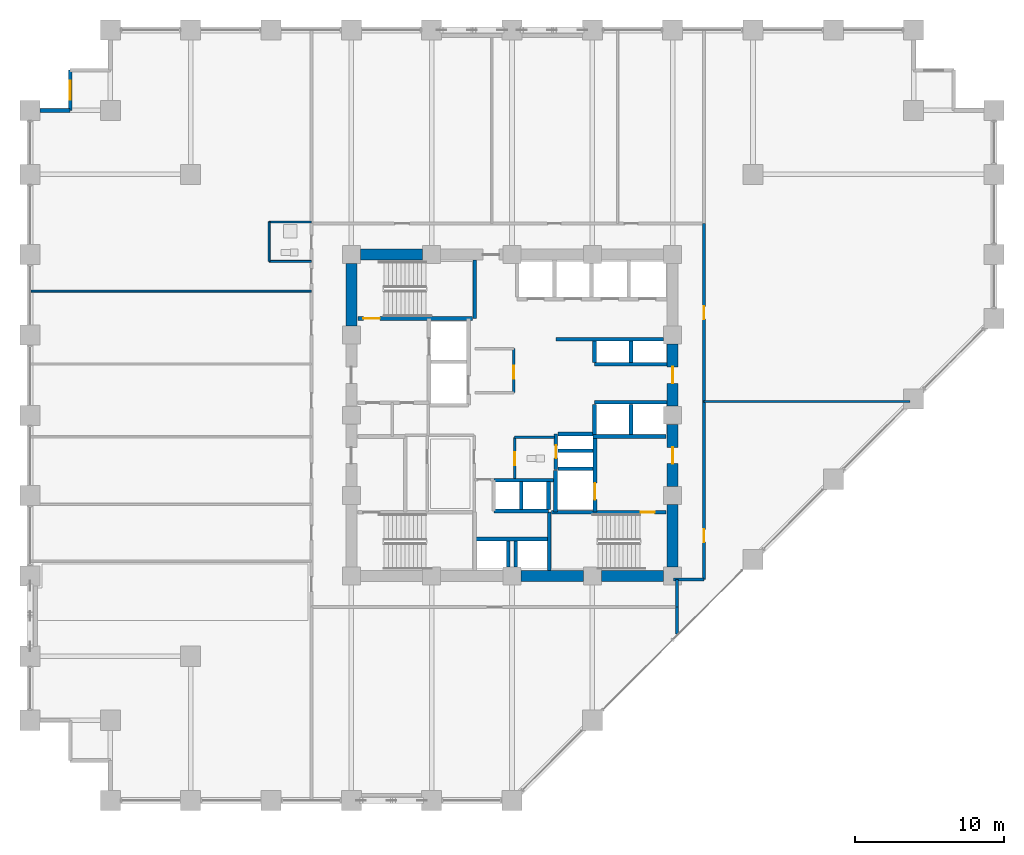
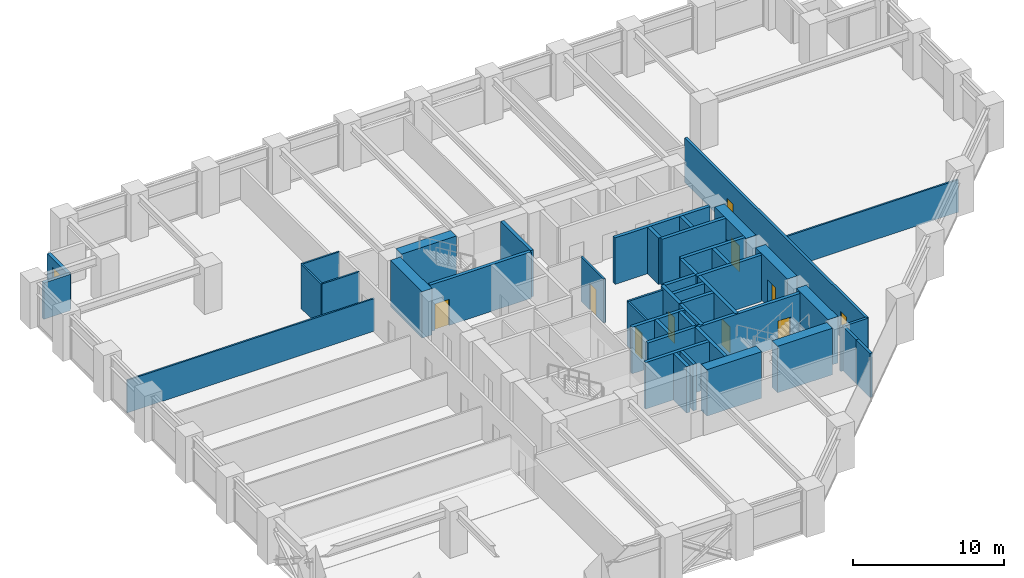
# One storey, part 21 of 25: 46 walls, 10 doors, 1 window, 11 openings.
"""IFC4 building model written with IfcOpenShell, lengths in metres."""

from ifc_helpers import new_model, si_unit, direction, frame, frame_2d, origin, place, context, subcontext, project, spatial, rectangle, extrude, material, layer, layer_set, type_object, element, fill, save


model = new_model("IFC4")

# Units and contexts
model_context = context("Model", 3, precision=1e-05, world=origin(), true_north=direction((0.0, 1.0)))
body_context = subcontext(model_context, "Body", "Model", "MODEL_VIEW")
ifc_project = project(units=[si_unit("LENGTHUNIT", "METRE"), si_unit("AREAUNIT", "SQUARE_METRE"), si_unit("VOLUMEUNIT", "CUBIC_METRE"), si_unit("PLANEANGLEUNIT", "RADIAN"), si_unit("MASSUNIT", "GRAM", prefix="KILO")], contexts=[model_context])

# Site, building, storey
site_placement = place(None, origin())
site = spatial("IfcSite", under=ifc_project, at=site_placement, CompositionType="ELEMENT")
building_placement = place(site_placement, origin())
building = spatial("IfcBuilding", under=site, at=building_placement, Name="Surkhivell Harbour Commons", CompositionType="ELEMENT")
storey_placement = place(building_placement, frame((0.0, 0.0, 41.25)))
storey = spatial("IfcBuildingStorey", under=building, at=storey_placement, Name="L10", CompositionType="ELEMENT", Elevation=41.25)

# Walls
ifc_material_1 = material(Name="Concrete C60/75", Category="concrete")
ifc_layer_1 = layer(ifc_material_1, 0.75)
ifc_layer_set_1 = layer_set([ifc_layer_1], Name="Concrete C60/75")
wall_type_1 = type_object("IfcWallType", Name="WAL-CORE-750", PredefinedType="SHEAR", material=ifc_layer_set_1)
for number, where, z_axis, x_axis, name in (
    (1, (-10.18994140625, 10.800048828125, 0.0), (0.0, 0.0, 1.0), (1.0, 0.0, 0.0), "L10 Core Shear Wall North 1"),
    (2, (10.800048828125, -10.18994140625, 0.0), (0.0, 0.0, 1.0), (0.0, 1.0, 0.0), "L10 Core Shear Wall East 1"),
):
    element("IfcWall", number, at=place(storey_placement, frame(where, z_axis=z_axis, x_axis=x_axis)), inside=storey, type_object=wall_type_1, Name=name, PredefinedType="SHEAR", context=body_context, shape_type="SweptSolid", body=[
        extrude(rectangle(XDim=4.179931640625, YDim=0.75, at=frame_2d((2.08984375, 0.0))), origin(), (0.0, 0.0, 1.0), 3.75),
    ])

# Wall, opening, door
wall_1_placement = place(storey_placement, frame((10.800048828125, -4.7900390625, 0.0), z_axis=(0.0, 0.0, 1.0), x_axis=(0.0, 1.0, 0.0)))
wall_1 = element("IfcWall", 3, at=wall_1_placement, inside=storey, type_object=wall_type_1, Name="L10 Core Shear Wall East 2", PredefinedType="SHEAR", context=body_context, shape_type="SweptSolid", body=[
    extrude(rectangle(XDim=4.179931640625, YDim=0.75, at=frame_2d((2.08984375, 0.0))), origin(), (0.0, 0.0, 1.0), 3.75),
])
opening_1_placement = place(wall_1_placement, frame((1.5400390625, 0.0, 0.0)))
opening_1 = element("IfcOpeningElement", 4, at=opening_1_placement, cuts=wall_1, Name="Opening ID-1", PredefinedType="OPENING", context=body_context, shape_type="SweptSolid", body=[
    extrude(rectangle(XDim=1.10009765625, YDim=2.10009765625, at=frame_2d((0.550048828125, 1.050048828125))), frame((0.0, 0.385009765625, 0.0), z_axis=(0.0, -1.0, 0.0), x_axis=(1.0, 0.0, 0.0)), (0.0, 0.0, 1.0), 0.77001953125),
])
ifc_material_2 = material(Name="Hardwood-veneered fire-rated door leaf", Category="wood")
door_type_1 = type_object("IfcDoorType", Name="DOR-FD120-1100", OperationType="NOTDEFINED", PredefinedType="DOOR", material=ifc_material_2)
door_1_placement = place(opening_1_placement, origin())
door_1 = element("IfcDoor", 5, at=door_1_placement, inside=storey, type_object=door_type_1, Name="L10 Firefighting Lobby 2 Corridor Door", OperationType="SINGLE_SWING_RIGHT", OverallHeight=2.10009765625, OverallWidth=1.10009765625, PredefinedType="DOOR", context=body_context, shape_type="SweptSolid", body=[
    extrude(rectangle(XDim=1.10009765625, YDim=2.10009765625, at=frame_2d((0.550048828125, 1.050048828125))), frame((0.0, 0.02490234375, 0.0), z_axis=(0.0, -1.0, 0.0), x_axis=(1.0, 0.0, 0.0)), (0.0, 0.0, 1.0), 0.050048828125),
])
fill(opening_1, door_1)

# Wall
wall_2_placement = place(storey_placement, frame((0.610107421875, -10.800048828125, 0.0), z_axis=(0.0, 0.0, 1.0), x_axis=(1.0, 0.0, 0.0)))
element("IfcWall", 6, at=wall_2_placement, inside=storey, type_object=wall_type_1, Name="L10 Core Shear Wall South 3", PredefinedType="SHEAR", context=body_context, shape_type="SweptSolid", body=[
    extrude(rectangle(XDim=4.179931640625, YDim=0.75, at=frame_2d((2.08984375, 0.0))), origin(), (0.0, 0.0, 1.0), 3.75),
])

# Wall, opening, door
wall_3_placement = place(storey_placement, frame((10.800048828125, 0.610107421875, 0.0), z_axis=(0.0, 0.0, 1.0), x_axis=(0.0, 1.0, 0.0)))
wall_3 = element("IfcWall", 7, at=wall_3_placement, inside=storey, type_object=wall_type_1, Name="L10 Core Shear Wall East 3", PredefinedType="SHEAR", context=body_context, shape_type="SweptSolid", body=[
    extrude(rectangle(XDim=4.179931640625, YDim=0.75, at=frame_2d((2.08984375, 0.0))), origin(), (0.0, 0.0, 1.0), 3.75),
])
opening_2_placement = place(wall_3_placement, frame((1.5400390625, 0.0, 0.0)))
opening_2 = element("IfcOpeningElement", 8, at=opening_2_placement, cuts=wall_3, Name="Opening ID-2", PredefinedType="OPENING", context=body_context, shape_type="SweptSolid", body=[
    extrude(rectangle(XDim=1.10009765625, YDim=2.10009765625, at=frame_2d((0.550048828125, 1.050048828125))), frame((0.0, 0.385009765625, 0.0), z_axis=(0.0, -1.0, 0.0), x_axis=(1.0, 0.0, 0.0)), (0.0, 0.0, 1.0), 0.77001953125),
])
door_type_2 = type_object("IfcDoorType", Name="DOR-FD60-1100", OperationType="NOTDEFINED", PredefinedType="DOOR", material=ifc_material_2)
door_2_placement = place(opening_2_placement, origin())
door_2 = element("IfcDoor", 9, at=door_2_placement, inside=storey, type_object=door_type_2, Name="L10 Mid-Rise Lobby East Door", OperationType="SINGLE_SWING_LEFT", OverallHeight=2.10009765625, OverallWidth=1.10009765625, PredefinedType="DOOR", context=body_context, shape_type="SweptSolid", body=[
    extrude(rectangle(XDim=1.10009765625, YDim=2.10009765625, at=frame_2d((0.550048828125, 1.050048828125))), frame((0.0, 0.02490234375, 0.0), z_axis=(0.0, -1.0, 0.0), x_axis=(1.0, 0.0, 0.0)), (0.0, 0.0, 1.0), 0.050048828125),
])
fill(opening_2, door_2)

# Walls
for number, where, z_axis, x_axis, name in (
    (10, (6.010009765625, -10.800048828125, 0.0), (0.0, 0.0, 1.0), (1.0, 0.0, 0.0), "L10 Core Shear Wall South 4"),
    (11, (-10.800048828125, 6.010009765625, 0.0), (0.0, 0.0, 1.0), (0.0, 1.0, 0.0), "L10 Core Shear Wall West 4"),
):
    element("IfcWall", number, at=place(storey_placement, frame(where, z_axis=z_axis, x_axis=x_axis)), inside=storey, type_object=wall_type_1, Name=name, PredefinedType="SHEAR", context=body_context, shape_type="SweptSolid", body=[
        extrude(rectangle(XDim=4.179931640625, YDim=0.75, at=frame_2d((2.08984375, 0.0))), origin(), (0.0, 0.0, 1.0), 3.75),
    ])

# Wall, opening, window
ifc_material_3 = material(Name="Pale-metal insulated precast concrete C45/55", Category="concrete")
ifc_layer_2 = layer(ifc_material_3, 0.260009765625)
ifc_layer_set_2 = layer_set([ifc_layer_2], Name="Pale-metal insulated precast concrete C45/55")
wall_type_2 = type_object("IfcWallType", Name="WAL-EXT-MTL260", PredefinedType="STANDARD", material=ifc_layer_set_2)
wall_4_placement = place(storey_placement, frame((-29.699951171875, 23.199951171875, 0.0), z_axis=(0.0, 0.0, 1.0), x_axis=(0.0, -1.0, 0.0)))
wall_4 = element("IfcWall", 12, at=wall_4_placement, inside=storey, type_object=wall_type_2, Name="L10 Serrated Corner Facade Wall 10", PredefinedType="STANDARD", context=body_context, shape_type="SweptSolid", body=[
    extrude(rectangle(XDim=2.699951171875, YDim=0.260009765625, at=frame_2d((1.35009765625, 0.0))), origin(), (0.0, 0.0, 1.0), 2.929931640625),
])
opening_3_placement = place(wall_4_placement, frame((0.72509765625, 0.0, 0.64990234375)))
opening_3 = element("IfcOpeningElement", 13, at=opening_3_placement, cuts=wall_4, Name="Opening WN-09", PredefinedType="OPENING", context=body_context, shape_type="SweptSolid", body=[
    extrude(rectangle(XDim=1.25, YDim=1.60009765625, at=frame_2d((0.625, 0.800048828125))), frame((0.0, 0.139892578125, 0.0), z_axis=(0.0, -1.0, 0.0), x_axis=(1.0, 0.0, 0.0)), (0.0, 0.0, 1.0), 0.280029296875),
])
ifc_material_4 = material(Name="Thermal-break aluminium frame and double low-E glazing", Category="aluminium")
window_type = type_object("IfcWindowType", Name="WIN-SER-1250x1600", PartitioningType="SINGLE_PANEL", PredefinedType="WINDOW", material=ifc_material_4)
window_placement = place(opening_3_placement, origin())
window = element("IfcWindow", 14, at=window_placement, inside=storey, type_object=window_type, Name="L10 Serrated Alcove Window 10", OverallHeight=1.60009765625, OverallWidth=1.25, PartitioningType="SINGLE_PANEL", PredefinedType="WINDOW", context=body_context, shape_type="SweptSolid", body=[
    extrude(rectangle(XDim=1.25, YDim=1.60009765625, at=frame_2d((0.625, 0.800048828125))), frame((0.0, 0.030029296875, 0.0), z_axis=(0.0, -1.0, 0.0), x_axis=(1.0, 0.0, 0.0)), (0.0, 0.0, 1.0), 0.06005859375),
])
fill(opening_3, window)

# Walls
wall_5_placement = place(storey_placement, frame((-29.699951171875, 20.5, 0.0), z_axis=(0.0, 0.0, 1.0), x_axis=(-1.0, 0.0, 0.0)))
element("IfcWall", 15, at=wall_5_placement, inside=storey, type_object=wall_type_2, Name="L10 Serrated Corner Facade Wall 11", PredefinedType="STANDARD", context=body_context, shape_type="SweptSolid", body=[
    extrude(rectangle(XDim=2.027099609375, YDim=0.260009765625, at=frame_2d((1.013671875, 0.0))), origin(), (0.0, 0.0, 1.0), 2.929931640625),
])
ifc_material_5 = material(Name="Moisture-resistant acoustic stud partition", Category="other")
ifc_layer_3 = layer(ifc_material_5, 0.125)
ifc_layer_set_3 = layer_set([ifc_layer_3], Name="Moisture-resistant acoustic stud partition")
wall_type_3 = type_object("IfcWallType", Name="WAL-INT-125", PredefinedType="PARTITIONING", material=ifc_layer_set_3)
wall_6_placement = place(storey_placement, frame((12.89990234375, 0.929931640625, 0.0), z_axis=(0.0, 0.0, 1.0), x_axis=(1.0, 0.0, 0.0)))
element("IfcWall", 16, at=wall_6_placement, inside=storey, type_object=wall_type_3, Name="L10 East Partition P1", PredefinedType="PARTITIONING", context=body_context, shape_type="SweptSolid", body=[
    extrude(rectangle(XDim=13.84521484375, YDim=0.125, at=frame_2d((6.922607421875, 0.0))), origin(), (0.0, 0.0, 1.0), 2.62890625),
])
wall_7_placement = place(storey_placement, frame((-16.330078125, 10.35009765625, 0.0), z_axis=(0.0, 0.0, 1.0), x_axis=(0.0, 1.0, 0.0)))
element("IfcWall", 17, at=wall_7_placement, inside=storey, type_object=wall_type_3, Name="L10 West Partition BTHB", PredefinedType="PARTITIONING", context=body_context, shape_type="SweptSolid", body=[
    extrude(rectangle(XDim=2.64990234375, YDim=0.125, at=frame_2d((1.324951171875, 0.0))), origin(), (0.0, 0.0, 1.0), 3.570068359375),
])
for number, where, z_axis, x_axis, name in (
    (18, (-16.330078125, 13.0, 0.0), (0.0, 0.0, 1.0), (1.0, 0.0, 0.0), "L10 West Partition BTHN"),
    (19, (-16.330078125, 10.35009765625, 0.0), (0.0, 0.0, 1.0), (1.0, 0.0, 0.0), "L10 West Partition BTHS"),
):
    element("IfcWall", number, at=place(storey_placement, frame(where, z_axis=z_axis, x_axis=x_axis)), inside=storey, type_object=wall_type_3, Name=name, PredefinedType="PARTITIONING", context=body_context, shape_type="SweptSolid", body=[
        extrude(rectangle(XDim=2.85009765625, YDim=0.125, at=frame_2d((1.425048828125, 0.0))), origin(), (0.0, 0.0, 1.0), 3.570068359375),
    ])
wall_8_placement = place(storey_placement, frame((-32.340087890625, 8.35009765625, 0.0), z_axis=(0.0, 0.0, 1.0), x_axis=(1.0, 0.0, 0.0)))
element("IfcWall", 20, at=wall_8_placement, inside=storey, type_object=wall_type_3, Name="L10 West Partition PTOP", PredefinedType="PARTITIONING", context=body_context, shape_type="SweptSolid", body=[
    extrude(rectangle(XDim=18.860107421875, YDim=0.125, at=frame_2d((9.43017578125, 0.0))), origin(), (0.0, 0.0, 1.0), 2.62890625),
])
ifc_material_6 = material(Name="Twin-stud acoustic fireboard partition", Category="other")
ifc_layer_4 = layer(ifc_material_6, 0.14990234375)
ifc_layer_set_4 = layer_set([ifc_layer_4], Name="Twin-stud acoustic fireboard partition")
wall_type_4 = type_object("IfcWallType", Name="WAL-INT-150", PredefinedType="PARTITIONING", material=ifc_layer_set_4)
wall_9_placement = place(storey_placement, frame((0.179931640625, -1.47998046875, 0.0), z_axis=(0.0, 0.0, 1.0), x_axis=(1.0, 0.0, 0.0)))
element("IfcWall", 21, at=wall_9_placement, inside=storey, type_object=wall_type_4, Name="L10 Core Accessible WC North Wall", PredefinedType="PARTITIONING", context=body_context, shape_type="SweptSolid", body=[
    extrude(rectangle(XDim=2.670166015625, YDim=0.14990234375, at=frame_2d((1.3349609375, 0.0))), origin(), (0.0, 0.0, 1.0), 3.570068359375),
])

# Wall, opening, door
wall_10_placement = place(storey_placement, frame((0.179931640625, -4.25, 0.0), z_axis=(0.0, 0.0, 1.0), x_axis=(0.0, 1.0, 0.0)))
wall_10 = element("IfcWall", 22, at=wall_10_placement, inside=storey, type_object=wall_type_4, Name="L10 Core Accessible WC West Wall", PredefinedType="PARTITIONING", context=body_context, shape_type="SweptSolid", body=[
    extrude(rectangle(XDim=2.77001953125, YDim=0.14990234375, at=frame_2d((1.385009765625, 0.0))), origin(), (0.0, 0.0, 1.0), 3.570068359375),
])
opening_4_placement = place(wall_10_placement, frame((0.89990234375, 0.0, 0.0)))
opening_4 = element("IfcOpeningElement", 23, at=opening_4_placement, cuts=wall_10, Name="Opening ID-6", PredefinedType="OPENING", context=body_context, shape_type="SweptSolid", body=[
    extrude(rectangle(XDim=0.85009765625, YDim=2.10009765625, at=frame_2d((0.425048828125, 1.050048828125))), frame((0.0, 0.0849609375, 0.0), z_axis=(0.0, -1.0, 0.0), x_axis=(1.0, 0.0, 0.0)), (0.0, 0.0, 1.0), 0.169921875),
])
door_type_3 = type_object("IfcDoorType", Name="DOR-FD30-850", OperationType="NOTDEFINED", PredefinedType="DOOR", material=ifc_material_2)
door_3_placement = place(opening_4_placement, origin())
door_3 = element("IfcDoor", 24, at=door_3_placement, inside=storey, type_object=door_type_3, Name="L10 Floor Accessible WC Door", OperationType="SINGLE_SWING_LEFT", OverallHeight=2.10009765625, OverallWidth=0.85009765625, PredefinedType="DOOR", context=body_context, shape_type="SweptSolid", body=[
    extrude(rectangle(XDim=0.85009765625, YDim=2.10009765625, at=frame_2d((0.425048828125, 1.050048828125))), frame((0.0, 0.02490234375, 0.0), z_axis=(0.0, -1.0, 0.0), x_axis=(1.0, 0.0, 0.0)), (0.0, 0.0, 1.0), 0.050048828125),
])
fill(opening_4, door_3)

wall_11_placement = place(storey_placement, frame((0.1201171875, 1.52001953125, 0.0), z_axis=(0.0, 0.0, 1.0), x_axis=(0.0, 1.0, 0.0)))
wall_11 = element("IfcWall", 25, at=wall_11_placement, inside=storey, type_object=wall_type_4, Name="L10 Central Reading East Wall", PredefinedType="PARTITIONING", context=body_context, shape_type="SweptSolid", body=[
    extrude(rectangle(XDim=2.9599609375, YDim=0.14990234375, at=frame_2d((1.47998046875, 0.0))), origin(), (0.0, 0.0, 1.0), 3.570068359375),
])
opening_5_placement = place(wall_11_placement, frame((0.949951171875, 0.0, 0.0)))
opening_5 = element("IfcOpeningElement", 26, at=opening_5_placement, cuts=wall_11, Name="Opening ID-6", PredefinedType="OPENING", context=body_context, shape_type="SweptSolid", body=[
    extrude(rectangle(XDim=0.85009765625, YDim=2.10009765625, at=frame_2d((0.425048828125, 1.050048828125))), frame((0.0, 0.0849609375, 0.0), z_axis=(0.0, -1.0, 0.0), x_axis=(1.0, 0.0, 0.0)), (0.0, 0.0, 1.0), 0.169921875),
])
door_4_placement = place(opening_5_placement, origin())
door_4 = element("IfcDoor", 27, at=door_4_placement, inside=storey, type_object=door_type_3, Name="L10 Central Core Reading Door", OperationType="SINGLE_SWING_RIGHT", OverallHeight=2.10009765625, OverallWidth=0.85009765625, PredefinedType="DOOR", context=body_context, shape_type="SweptSolid", body=[
    extrude(rectangle(XDim=0.85009765625, YDim=2.10009765625, at=frame_2d((0.425048828125, 1.050048828125))), frame((0.0, 0.02490234375, 0.0), z_axis=(0.0, -1.0, 0.0), x_axis=(1.0, 0.0, 0.0)), (0.0, 0.0, 1.0), 0.050048828125),
])
fill(opening_5, door_4)

# Wall
ifc_material_7 = material(Name="Autoclaved aerated concrete blockwork and fire plaster", Category="masonry")
ifc_layer_5 = layer(ifc_material_7, 0.199951171875)
ifc_layer_set_5 = layer_set([ifc_layer_5], Name="Autoclaved aerated concrete blockwork and fire plaster")
wall_type_5 = type_object("IfcWallType", Name="WAL-INT-200", PredefinedType="PARTITIONING", material=ifc_layer_set_5)
wall_12_placement = place(storey_placement, frame((11.10009765625, -14.715087890625, 0.0), z_axis=(0.0, 0.0, 1.0), x_axis=(0.0, 1.0, 0.0)))
element("IfcWall", 28, at=wall_12_placement, inside=storey, type_object=wall_type_5, Name="L10 South-East Wing Corner Divider", PredefinedType="PARTITIONING", context=body_context, shape_type="SweptSolid", body=[
    extrude(rectangle(XDim=1.815185546875, YDim=0.199951171875, at=frame_2d((0.90771484375, 0.0))), origin(), (0.0, 0.0, 1.0), 3.570068359375),
])

# Wall, openings, doors
wall_13_placement = place(storey_placement, frame((12.89990234375, -11.0400390625, 0.0), z_axis=(0.0, 0.0, 1.0), x_axis=(0.0, 1.0, 0.0)))
wall_13 = element("IfcWall", 29, at=wall_13_placement, inside=storey, type_object=wall_type_5, Name="L10 Corridor East Wall", PredefinedType="PARTITIONING", context=body_context, shape_type="SweptSolid", body=[
    extrude(rectangle(XDim=23.93994140625, YDim=0.199951171875, at=frame_2d((11.969970703125, 0.0))), origin(), (0.0, 0.0, 1.0), 3.570068359375),
])
opening_6_placement = place(wall_13_placement, frame((2.513916015625, 0.0, 0.0)))
opening_6 = element("IfcOpeningElement", 30, at=opening_6_placement, cuts=wall_13, Name="Opening ID-6", PredefinedType="OPENING", context=body_context, shape_type="SweptSolid", body=[
    extrude(rectangle(XDim=0.85009765625, YDim=2.10009765625, at=frame_2d((0.425048828125, 1.050048828125))), frame((0.0, 0.10986328125, 0.0), z_axis=(0.0, -1.0, 0.0), x_axis=(1.0, 0.0, 0.0)), (0.0, 0.0, 1.0), 0.219970703125),
])
opening_7_placement = place(wall_13_placement, frame((17.5048828125, 0.0, 0.0)))
opening_7 = element("IfcOpeningElement", 31, at=opening_7_placement, cuts=wall_13, Name="Opening ID-6", PredefinedType="OPENING", context=body_context, shape_type="SweptSolid", body=[
    extrude(rectangle(XDim=0.85009765625, YDim=2.10009765625, at=frame_2d((0.425048828125, 1.050048828125))), frame((0.0, 0.10986328125, 0.0), z_axis=(0.0, -1.0, 0.0), x_axis=(1.0, 0.0, 0.0)), (0.0, 0.0, 1.0), 0.219970703125),
])
door_5_placement = place(opening_6_placement, origin())
door_5 = element("IfcDoor", 32, at=door_5_placement, inside=storey, type_object=door_type_3, Name="L10 Campus Co-Op Bookshop East Door", OperationType="SINGLE_SWING_LEFT", OverallHeight=2.10009765625, OverallWidth=0.85009765625, PredefinedType="DOOR", context=body_context, shape_type="SweptSolid", body=[
    extrude(rectangle(XDim=0.85009765625, YDim=2.10009765625, at=frame_2d((0.425048828125, 1.050048828125))), frame((0.0, 0.02490234375, 0.0), z_axis=(0.0, -1.0, 0.0), x_axis=(1.0, 0.0, 0.0)), (0.0, 0.0, 1.0), 0.050048828125),
])
fill(opening_6, door_5)
door_6_placement = place(opening_7_placement, origin())
door_6 = element("IfcDoor", 33, at=door_6_placement, inside=storey, type_object=door_type_3, Name="L10 Harbour Espresso Cafe Shop East Door", OperationType="SINGLE_SWING_RIGHT", OverallHeight=2.10009765625, OverallWidth=0.85009765625, PredefinedType="DOOR", context=body_context, shape_type="SweptSolid", body=[
    extrude(rectangle(XDim=0.85009765625, YDim=2.10009765625, at=frame_2d((0.425048828125, 1.050048828125))), frame((0.0, 0.02490234375, 0.0), z_axis=(0.0, -1.0, 0.0), x_axis=(1.0, 0.0, 0.0)), (0.0, 0.0, 1.0), 0.050048828125),
])
fill(opening_7, door_6)

# Walls
wall_14_placement = place(storey_placement, frame((10.85009765625, -11.0400390625, 0.0), z_axis=(0.0, 0.0, 1.0), x_axis=(1.0, 0.0, 0.0)))
element("IfcWall", 34, at=wall_14_placement, inside=storey, type_object=wall_type_5, Name="L10 Corridor East South Closure Wall", PredefinedType="PARTITIONING", context=body_context, shape_type="SweptSolid", body=[
    extrude(rectangle(XDim=2.0498046875, YDim=0.199951171875, at=frame_2d((1.02490234375, 0.0))), origin(), (0.0, 0.0, 1.0), 3.570068359375),
])
wall_15_placement = place(storey_placement, frame((11.10009765625, -12.89990234375, 0.0), z_axis=(0.0, 0.0, 1.0), x_axis=(0.0, 1.0, 0.0)))
element("IfcWall", 35, at=wall_15_placement, inside=storey, type_object=wall_type_5, Name="L10 Corridor SE Closure Wall", PredefinedType="PARTITIONING", context=body_context, shape_type="SweptSolid", body=[
    extrude(rectangle(XDim=1.85986328125, YDim=0.199951171875, at=frame_2d((0.929931640625, 0.0))), origin(), (0.0, 0.0, 1.0), 3.570068359375),
])
ifc_material_8 = material(Name="Concrete C50/60", Category="concrete")
ifc_layer_6 = layer(ifc_material_8, 0.25)
ifc_layer_set_6 = layer_set([ifc_layer_6], Name="Concrete C50/60")
wall_type_6 = type_object("IfcWallType", Name="WAL-SHAFT-250", PredefinedType="SHEAR", material=ifc_layer_set_6)
wall_16_placement = place(storey_placement, frame((2.929931640625, -6.510009765625, 0.0), z_axis=(0.0, 0.0, 1.0), x_axis=(0.0, 1.0, 0.0)))
element("IfcWall", 36, at=wall_16_placement, inside=storey, type_object=wall_type_6, Name="L10 FFL2 West Shaft Wall", PredefinedType="SHEAR", context=body_context, shape_type="SweptSolid", body=[
    extrude(rectangle(XDim=2.7900390625, YDim=0.25, at=frame_2d((1.39501953125, 0.0))), origin(), (0.0, 0.0, 1.0), 3.75),
])
wall_17_placement = place(storey_placement, frame((5.43994140625, -1.419921875, 0.0), z_axis=(0.0, 0.0, 1.0), x_axis=(1.0, 0.0, 0.0)))
element("IfcWall", 37, at=wall_17_placement, inside=storey, type_object=wall_type_6, Name="L10 Firefighting Lobby 2 North Wall", PredefinedType="SHEAR", context=body_context, shape_type="SweptSolid", body=[
    extrude(rectangle(XDim=4.900146484375, YDim=0.25, at=frame_2d((2.4501953125, 0.0))), origin(), (0.0, 0.0, 1.0), 3.75),
])
wall_18_placement = place(storey_placement, frame((3.080078125, -3.60009765625, 0.0), z_axis=(0.0, 0.0, 1.0), x_axis=(1.0, 0.0, 0.0)))
element("IfcWall", 38, at=wall_18_placement, inside=storey, type_object=wall_type_6, Name="L10 FFL2 North Shaft Wall", PredefinedType="SHEAR", context=body_context, shape_type="SweptSolid", body=[
    extrude(rectangle(XDim=2.369873046875, YDim=0.25, at=frame_2d((1.18505859375, 0.0))), origin(), (0.0, 0.0, 1.0), 3.75),
])

# Wall, opening, door
wall_19_placement = place(storey_placement, frame((5.580078125, -6.510009765625, 0.0), z_axis=(0.0, 0.0, 1.0), x_axis=(0.0, 1.0, 0.0)))
wall_19 = element("IfcWall", 39, at=wall_19_placement, inside=storey, type_object=wall_type_6, Name="L10 Firefighting Lobby 2 West Shaft Wall", PredefinedType="SHEAR", context=body_context, shape_type="SweptSolid", body=[
    extrude(rectangle(XDim=5.090087890625, YDim=0.25, at=frame_2d((2.544921875, 0.0))), origin(), (0.0, 0.0, 1.0), 3.75),
])
opening_8_placement = place(wall_19_placement, frame((0.85009765625, 0.0, 0.0)))
opening_8 = element("IfcOpeningElement", 40, at=opening_8_placement, cuts=wall_19, Name="Opening LD-1", PredefinedType="OPENING", context=body_context, shape_type="SweptSolid", body=[
    extrude(rectangle(XDim=1.10009765625, YDim=2.10009765625, at=frame_2d((0.550048828125, 1.050048828125))), frame((0.0, 0.135009765625, 0.0), z_axis=(0.0, -1.0, 0.0), x_axis=(1.0, 0.0, 0.0)), (0.0, 0.0, 1.0), 0.27001953125),
])
ifc_material_9 = material(Name="Brushed stainless steel S355", Category="steel")
door_type_4 = type_object("IfcDoorType", Name="DOR-LD-1100", OperationType="SLIDING_TO_LEFT", PredefinedType="DOOR", material=ifc_material_9)
door_7_placement = place(opening_8_placement, origin())
door_7 = element("IfcDoor", 41, at=door_7_placement, inside=storey, type_object=door_type_4, Name="L10 Lift Landing Door LD-FFL2", OperationType="SLIDING_TO_RIGHT", OverallHeight=2.10009765625, OverallWidth=1.10009765625, PredefinedType="DOOR", context=body_context, shape_type="SweptSolid", body=[
    extrude(rectangle(XDim=1.10009765625, YDim=2.10009765625, at=frame_2d((0.550048828125, 1.050048828125))), frame((0.0, 0.02490234375, 0.0), z_axis=(0.0, -1.0, 0.0), x_axis=(1.0, 0.0, 0.0)), (0.0, 0.0, 1.0), 0.050048828125),
])
fill(opening_8, door_7)

# Walls
for number, where, z_axis, x_axis, name in (
    (42, (0.6201171875, -6.340087890625, 0.0), (0.0, 0.0, 1.0), (0.0, 1.0, 0.0), "L10 High-Rise Side Wall N"),
    (43, (2.449951171875, -6.340087890625, 0.0), (0.0, 0.0, 1.0), (0.0, 1.0, 0.0), "L10 High-Rise Side Wall N"),
):
    element("IfcWall", number, at=place(storey_placement, frame(where, z_axis=z_axis, x_axis=x_axis)), inside=storey, type_object=wall_type_6, Name=name, PredefinedType="SHEAR", context=body_context, shape_type="SweptSolid", body=[
        extrude(rectangle(XDim=1.880126953125, YDim=0.25, at=frame_2d((0.93994140625, 0.0))), origin(), (0.0, 0.0, 1.0), 3.75),
    ])
for number, where, z_axis, x_axis, name in (
    (44, (-0.25, -10.199951171875, 0.0), (0.0, 0.0, 1.0), (0.0, 1.0, 0.0), "L10 High-Rise Side Wall S"),
    (45, (0.25, -10.199951171875, 0.0), (0.0, 0.0, 1.0), (0.0, 1.0, 0.0), "L10 High-Rise Side Wall S"),
):
    element("IfcWall", number, at=place(storey_placement, frame(where, z_axis=z_axis, x_axis=x_axis)), inside=storey, type_object=wall_type_6, Name=name, PredefinedType="SHEAR", context=body_context, shape_type="SweptSolid", body=[
        extrude(rectangle(XDim=1.760009765625, YDim=0.25, at=frame_2d((0.8798828125, 0.0))), origin(), (0.0, 0.0, 1.0), 3.75),
    ])
wall_20_placement = place(storey_placement, frame((-1.219970703125, -6.43994140625, 0.0), z_axis=(0.0, 0.0, 1.0), x_axis=(1.0, 0.0, 0.0)))
element("IfcWall", 46, at=wall_20_placement, inside=storey, type_object=wall_type_6, Name="L10 High-Rise North Front Shaft Wall", PredefinedType="SHEAR", context=body_context, shape_type="SweptSolid", body=[
    extrude(rectangle(XDim=3.669921875, YDim=0.25, at=frame_2d((1.8349609375, 0.0))), origin(), (0.0, 0.0, 1.0), 3.75),
])
wall_21_placement = place(storey_placement, frame((-2.47998046875, -8.320068359375, 0.0), z_axis=(0.0, 0.0, 1.0), x_axis=(1.0, 0.0, 0.0)))
element("IfcWall", 47, at=wall_21_placement, inside=storey, type_object=wall_type_6, Name="L10 High-Rise South Front Shaft Wall", PredefinedType="SHEAR", context=body_context, shape_type="SweptSolid", body=[
    extrude(rectangle(XDim=4.929931640625, YDim=0.25, at=frame_2d((2.46484375, 0.0))), origin(), (0.0, 0.0, 1.0), 3.75),
])
wall_22_placement = place(storey_placement, frame((-1.219970703125, -4.360107421875, 0.0), z_axis=(0.0, 0.0, 1.0), x_axis=(1.0, 0.0, 0.0)))
element("IfcWall", 48, at=wall_22_placement, inside=storey, type_object=wall_type_6, Name="L10 High-Rise North Back Shaft Wall", PredefinedType="SHEAR", context=body_context, shape_type="SweptSolid", body=[
    extrude(rectangle(XDim=4.030029296875, YDim=0.25, at=frame_2d((2.01513671875, 0.0))), origin(), (0.0, 0.0, 1.0), 3.75),
])
wall_23_placement = place(storey_placement, frame((2.949951171875, 5.1201171875, 0.0), z_axis=(0.0, 0.0, 1.0), x_axis=(1.0, 0.0, 0.0)))
element("IfcWall", 49, at=wall_23_placement, inside=storey, type_object=wall_type_6, Name="L10 Low-Rise Lobby South Wall", PredefinedType="SHEAR", context=body_context, shape_type="SweptSolid", body=[
    extrude(rectangle(XDim=7.25, YDim=0.25, at=frame_2d((3.625, 0.0))), origin(), (0.0, 0.0, 1.0), 3.75),
])
for number, where, z_axis, x_axis, name in (
    (50, (5.550048828125, 3.550048828125, 0.0), (0.0, 0.0, 1.0), (0.0, 1.0, 0.0), "L10 Mid-Rise Shaft Side Wall N"),
    (51, (8.0, 3.550048828125, 0.0), (0.0, 0.0, 1.0), (0.0, 1.0, 0.0), "L10 Mid-Rise Shaft Side Wall N"),
):
    element("IfcWall", number, at=place(storey_placement, frame(where, z_axis=z_axis, x_axis=x_axis)), inside=storey, type_object=wall_type_6, Name=name, PredefinedType="SHEAR", context=body_context, shape_type="SweptSolid", body=[
        extrude(rectangle(XDim=1.449951171875, YDim=0.25, at=frame_2d((0.72509765625, 0.0))), origin(), (0.0, 0.0, 1.0), 3.75),
    ])
for number, where, z_axis, x_axis, name in (
    (52, (5.550048828125, -1.300048828125, 0.0), (0.0, 0.0, 1.0), (0.0, 1.0, 0.0), "L10 Mid-Rise Shaft Side Wall S"),
    (53, (8.0, -1.300048828125, 0.0), (0.0, 0.0, 1.0), (0.0, 1.0, 0.0), "L10 Mid-Rise Shaft Side Wall S"),
):
    element("IfcWall", number, at=place(storey_placement, frame(where, z_axis=z_axis, x_axis=x_axis)), inside=storey, type_object=wall_type_6, Name=name, PredefinedType="SHEAR", context=body_context, shape_type="SweptSolid", body=[
        extrude(rectangle(XDim=2.0400390625, YDim=0.25, at=frame_2d((1.02001953125, 0.0))), origin(), (0.0, 0.0, 1.0), 3.75),
    ])
for number, where, z_axis, x_axis, name in (
    (54, (5.550048828125, 3.429931640625, 0.0), (0.0, 0.0, 1.0), (1.0, 0.0, 0.0), "L10 Mid-Rise North Front Shaft Wall"),
    (55, (5.550048828125, 0.8701171875, 0.0), (0.0, 0.0, 1.0), (1.0, 0.0, 0.0), "L10 Mid-Rise South Front Shaft Wall"),
):
    element("IfcWall", number, at=place(storey_placement, frame(where, z_axis=z_axis, x_axis=x_axis)), inside=storey, type_object=wall_type_6, Name=name, PredefinedType="SHEAR", context=body_context, shape_type="SweptSolid", body=[
        extrude(rectangle(XDim=4.875, YDim=0.25, at=frame_2d((2.4375, 0.0))), origin(), (0.0, 0.0, 1.0), 3.75),
    ])
for number, where, z_axis, x_axis, name in (
    (56, (3.080078125, -2.3798828125, 0.0), (0.0, 0.0, 1.0), (1.0, 0.0, 0.0), "L10 Riser Divider Wall"),
    (57, (3.080078125, -1.25, 0.0), (0.0, 0.0, 1.0), (1.0, 0.0, 0.0), "L10 Riser North Wall"),
):
    element("IfcWall", number, at=place(storey_placement, frame(where, z_axis=z_axis, x_axis=x_axis)), inside=storey, type_object=wall_type_6, Name=name, PredefinedType="SHEAR", context=body_context, shape_type="SweptSolid", body=[
        extrude(rectangle(XDim=2.369873046875, YDim=0.25, at=frame_2d((1.18505859375, 0.0))), origin(), (0.0, 0.0, 1.0), 3.75),
    ])

# Wall, opening, door
wall_24_placement = place(storey_placement, frame((2.949951171875, -3.64990234375, 0.0), z_axis=(0.0, 0.0, 1.0), x_axis=(0.0, 1.0, 0.0)))
wall_24 = element("IfcWall", 58, at=wall_24_placement, inside=storey, type_object=wall_type_6, Name="L10 Riser Shaft West Wall", PredefinedType="SHEAR", context=body_context, shape_type="SweptSolid", body=[
    extrude(rectangle(XDim=2.39990234375, YDim=0.25, at=frame_2d((1.199951171875, 0.0))), origin(), (0.0, 0.0, 1.0), 3.75),
])
opening_9_placement = place(wall_24_placement, frame((0.77490234375, 0.0, 0.0)))
opening_9 = element("IfcOpeningElement", 59, at=opening_9_placement, cuts=wall_24, Name="Opening ID-6", PredefinedType="OPENING", context=body_context, shape_type="SweptSolid", body=[
    extrude(rectangle(XDim=0.85009765625, YDim=2.10009765625, at=frame_2d((0.425048828125, 1.050048828125))), frame((0.0, 0.135009765625, 0.0), z_axis=(0.0, -1.0, 0.0), x_axis=(1.0, 0.0, 0.0)), (0.0, 0.0, 1.0), 0.27001953125),
])
door_8_placement = place(opening_9_placement, origin())
door_8 = element("IfcDoor", 60, at=door_8_placement, inside=storey, type_object=door_type_3, Name="L10 Electrical Riser Access Door", OperationType="SINGLE_SWING_LEFT", OverallHeight=2.10009765625, OverallWidth=0.85009765625, PredefinedType="DOOR", context=body_context, shape_type="SweptSolid", body=[
    extrude(rectangle(XDim=0.85009765625, YDim=2.10009765625, at=frame_2d((0.425048828125, 1.050048828125))), frame((0.0, 0.02490234375, 0.0), z_axis=(0.0, -1.0, 0.0), x_axis=(1.0, 0.0, 0.0)), (0.0, 0.0, 1.0), 0.050048828125),
])
fill(opening_9, door_8)

# Wall
wall_25_placement = place(storey_placement, frame((-2.510009765625, 6.510009765625, 0.0), z_axis=(0.0, 0.0, 1.0), x_axis=(0.0, 1.0, 0.0)))
element("IfcWall", 61, at=wall_25_placement, inside=storey, type_object=wall_type_6, Name="L10 Stair ST1 East Shear Wall", PredefinedType="SHEAR", context=body_context, shape_type="SweptSolid", body=[
    extrude(rectangle(XDim=3.9150390625, YDim=0.25, at=frame_2d((1.95751953125, 0.0))), origin(), (0.0, 0.0, 1.0), 3.75),
])

# Wall, opening, door
wall_26_placement = place(storey_placement, frame((-10.340087890625, 6.510009765625, 0.0), z_axis=(0.0, 0.0, 1.0), x_axis=(1.0, 0.0, 0.0)))
wall_26 = element("IfcWall", 62, at=wall_26_placement, inside=storey, type_object=wall_type_6, Name="L10 Stair ST1 South Shear Wall", PredefinedType="SHEAR", context=body_context, shape_type="SweptSolid", body=[
    extrude(rectangle(XDim=7.7001953125, YDim=0.25, at=frame_2d((3.85009765625, 0.0))), origin(), (0.0, 0.0, 1.0), 3.75),
])
opening_10_placement = place(wall_26_placement, frame((0.35009765625, 0.0, 0.0)))
opening_10 = element("IfcOpeningElement", 63, at=opening_10_placement, cuts=wall_26, Name="Opening ID-2", PredefinedType="OPENING", context=body_context, shape_type="SweptSolid", body=[
    extrude(rectangle(XDim=1.10009765625, YDim=2.10009765625, at=frame_2d((0.550048828125, 1.050048828125))), frame((0.0, 0.135009765625, 0.0), z_axis=(0.0, -1.0, 0.0), x_axis=(1.0, 0.0, 0.0)), (0.0, 0.0, 1.0), 0.27001953125),
])
door_9_placement = place(opening_10_placement, origin())
door_9 = element("IfcDoor", 64, at=door_9_placement, inside=storey, type_object=door_type_2, Name="L10 Stair ST1 Exit Door", OperationType="SINGLE_SWING_LEFT", OverallHeight=2.10009765625, OverallWidth=1.10009765625, PredefinedType="DOOR", context=body_context, shape_type="SweptSolid", body=[
    extrude(rectangle(XDim=1.10009765625, YDim=2.10009765625, at=frame_2d((0.550048828125, 1.050048828125))), frame((0.0, 0.02490234375, 0.0), z_axis=(0.0, -1.0, 0.0), x_axis=(1.0, 0.0, 0.0)), (0.0, 0.0, 1.0), 0.050048828125),
])
fill(opening_10, door_9)

wall_27_placement = place(storey_placement, frame((2.639892578125, -6.510009765625, 0.0), z_axis=(0.0, 0.0, 1.0), x_axis=(1.0, 0.0, 0.0)))
wall_27 = element("IfcWall", 65, at=wall_27_placement, inside=storey, type_object=wall_type_6, Name="L10 Stair ST2 North Shear Wall", PredefinedType="SHEAR", context=body_context, shape_type="SweptSolid", body=[
    extrude(rectangle(XDim=7.7001953125, YDim=0.25, at=frame_2d((3.85009765625, 0.0))), origin(), (0.0, 0.0, 1.0), 3.75),
])
opening_11_placement = place(wall_27_placement, frame((6.0, 0.0, 0.0)))
opening_11 = element("IfcOpeningElement", 66, at=opening_11_placement, cuts=wall_27, Name="Opening ID-4", PredefinedType="OPENING", context=body_context, shape_type="SweptSolid", body=[
    extrude(rectangle(XDim=0.949951171875, YDim=2.10009765625, at=frame_2d((0.47509765625, 1.050048828125))), frame((0.0, 0.135009765625, 0.0), z_axis=(0.0, -1.0, 0.0), x_axis=(1.0, 0.0, 0.0)), (0.0, 0.0, 1.0), 0.27001953125),
])
door_type_5 = type_object("IfcDoorType", Name="DOR-FD60-950", OperationType="NOTDEFINED", PredefinedType="DOOR", material=ifc_material_2)
door_10_placement = place(opening_11_placement, origin())
door_10 = element("IfcDoor", 67, at=door_10_placement, inside=storey, type_object=door_type_5, Name="L10 Stair ST2 Exit Door", OperationType="SINGLE_SWING_RIGHT", OverallHeight=2.10009765625, OverallWidth=0.949951171875, PredefinedType="DOOR", context=body_context, shape_type="SweptSolid", body=[
    extrude(rectangle(XDim=0.949951171875, YDim=2.10009765625, at=frame_2d((0.47509765625, 1.050048828125))), frame((0.0, 0.02490234375, 0.0), z_axis=(0.0, -1.0, 0.0), x_axis=(1.0, 0.0, 0.0)), (0.0, 0.0, 1.0), 0.050048828125),
])
fill(opening_11, door_10)

# Wall
wall_28_placement = place(storey_placement, frame((2.510009765625, -10.425048828125, 0.0), z_axis=(0.0, 0.0, 1.0), x_axis=(0.0, 1.0, 0.0)))
element("IfcWall", 68, at=wall_28_placement, inside=storey, type_object=wall_type_6, Name="L10 Stair ST2 West Shear Wall", PredefinedType="SHEAR", context=body_context, shape_type="SweptSolid", body=[
    extrude(rectangle(XDim=3.9150390625, YDim=0.25, at=frame_2d((1.95751953125, 0.0))), origin(), (0.0, 0.0, 1.0), 3.75),
])

save(model, "model.ifc")
